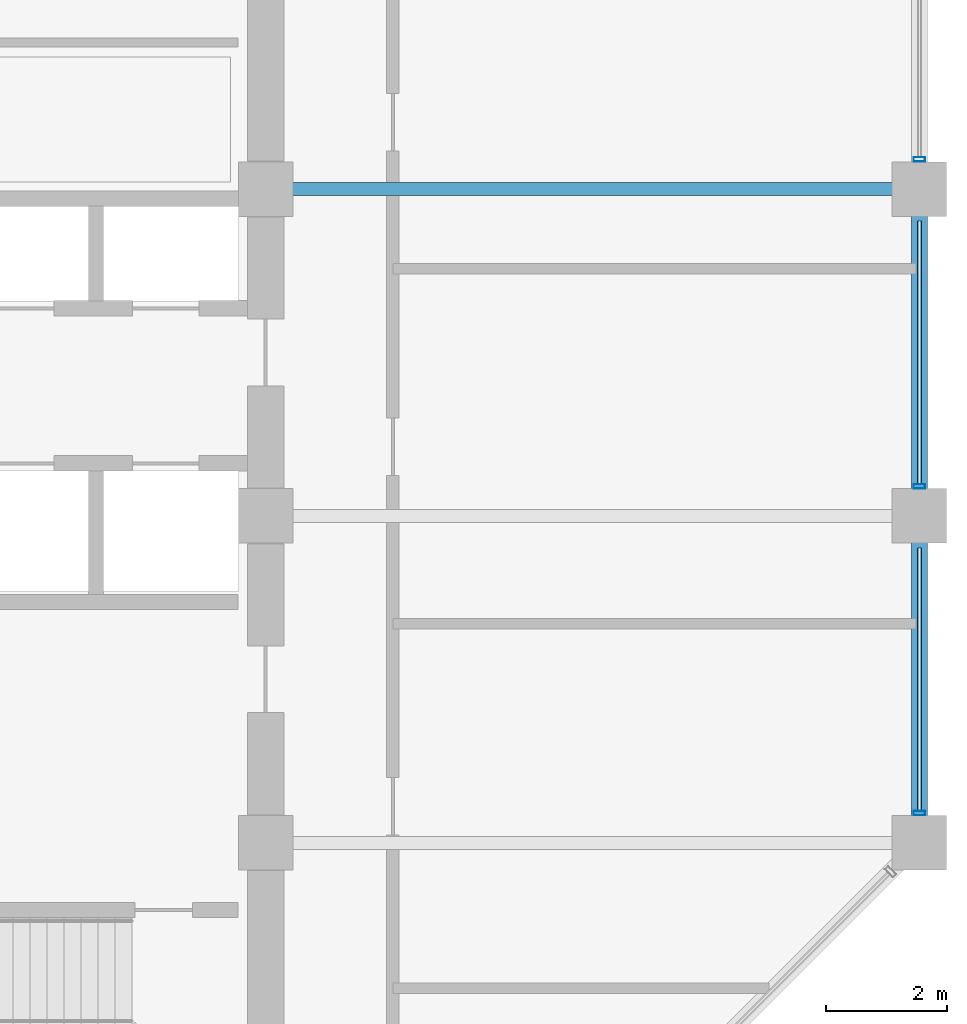
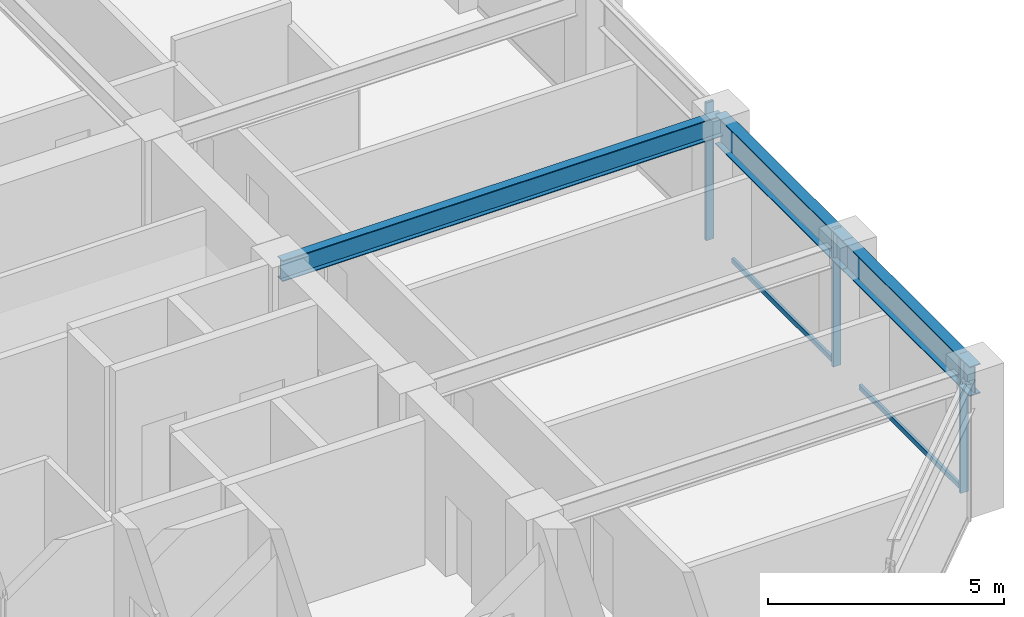
# One storey, part 14 of 32: 5 members, 3 beams, 1 element without a shape of its own.
"""IFC4 building model written with IfcOpenShell, lengths in metres."""

from ifc_helpers import new_model, si_unit, direction, frame, origin, origin_2d, place, context, subcontext, project, spatial, hollow_rectangle, i_section, extrude, material, layer, layer_set, material_profile, profile_set, type_object, element, aggregate, save


model = new_model("IFC4")

# Units and contexts
model_context = context("Model", 3, precision=1e-05, world=origin(), true_north=direction((0.0, 1.0)))
body_context = subcontext(model_context, "Body", "Model", "MODEL_VIEW")
ifc_project = project(units=[si_unit("LENGTHUNIT", "METRE"), si_unit("AREAUNIT", "SQUARE_METRE"), si_unit("VOLUMEUNIT", "CUBIC_METRE"), si_unit("PLANEANGLEUNIT", "RADIAN"), si_unit("MASSUNIT", "GRAM", prefix="KILO")], contexts=[model_context])

# Site, building, storey
site_placement = place(None, origin())
site = spatial("IfcSite", under=ifc_project, at=site_placement, CompositionType="ELEMENT")
building_placement = place(site_placement, origin())
building = spatial("IfcBuilding", under=site, at=building_placement, Name="Surkhivell Harbour Commons", CompositionType="ELEMENT")
storey_placement = place(building_placement, frame((0.0, 0.0, 201.0)))
storey = spatial("IfcBuildingStorey", under=building, at=storey_placement, Name="L52", CompositionType="ELEMENT", Elevation=201.0)

# Beams
ifc_material_1 = material(Name="Steel S355", Category="steel")
ifc_material_profile_1 = material_profile(ifc_material_1, i_section(OverallWidth=0.2119140625, OverallDepth=0.5439453125, WebThickness=0.0126953125, FlangeThickness=0.021240234375, at=origin_2d()), Name="UB533x210x122")
ifc_profile_set_1 = profile_set([ifc_material_profile_1], Name="Steel S355")
beam_type_1 = type_object("IfcBeamType", Name="BM-GRD-533A", PredefinedType="BEAM", material=ifc_profile_set_1)
beam_placement = place(storey_placement, frame((10.800048828125, 5.39990234375, 3.298095703125), z_axis=(1.0, 0.0, 0.0), x_axis=(0.0, 1.0, 0.0)))
element("IfcBeam", 1, at=beam_placement, inside=storey, type_object=beam_type_1, Name="L52 Floor Girder (10.8,5.4)", PredefinedType="BEAM", context=body_context, shape_type="SweptSolid", body=[
    extrude(i_section(OverallWidth=0.2119140625, OverallDepth=0.5439453125, WebThickness=0.0126953125, FlangeThickness=0.021240234375, at=origin_2d()), origin(), (0.0, 0.0, 1.0), 10.800048828125),
])
ifc_material_profile_2 = material_profile(ifc_material_1, i_section(OverallWidth=0.26806640625, OverallDepth=0.77001953125, WebThickness=0.015625, FlangeThickness=0.025390625, at=origin_2d()), Name="UB762x267x197")
ifc_profile_set_2 = profile_set([ifc_material_profile_2], Name="Steel S355")
beam_type_2 = type_object("IfcBeamType", Name="BM-SPN-762", PredefinedType="SPANDREL", material=ifc_profile_set_2)
for number, where, z_axis, x_axis, name in (
    (2, (21.60009765625, -5.39990234375, 3.18505859375), (0.0, 1.0, 0.0), (-1.0, 0.0, 0.0), "L52 Tube Spandrel (21.6,-5.4)"),
    (3, (21.60009765625, 0.0, 3.18505859375), (0.0, 1.0, 0.0), (-1.0, 0.0, 0.0), "L52 Tube Spandrel (21.6,0.0)"),
):
    element("IfcBeam", number, at=place(storey_placement, frame(where, z_axis=z_axis, x_axis=x_axis)), inside=storey, type_object=beam_type_2, Name=name, PredefinedType="SPANDREL", context=body_context, shape_type="SweptSolid", body=[
        extrude(i_section(OverallWidth=0.26806640625, OverallDepth=0.77001953125, WebThickness=0.015625, FlangeThickness=0.025390625, at=origin_2d()), origin(), (0.0, 0.0, 1.0), 5.39990234375),
    ])

# Curtain wall, members
ifc_material_2 = material(Name="Anodised pale-metal aluminium and insulated glazing", Category="aluminium")
ifc_layer = layer(ifc_material_2, 0.18994140625)
ifc_layer_set = layer_set([ifc_layer], Name="Anodised pale-metal aluminium and insulated glazing")
curtain_wall_type = type_object("IfcCurtainWallType", Name="CW-SYS-Z3", PredefinedType="NOTDEFINED", material=ifc_layer_set)
curtain_wall_placement = place(storey_placement, origin())
curtain_wall = element("IfcCurtainWall", 4, at=curtain_wall_placement, inside=storey, type_object=curtain_wall_type, Name="L52 Curtain Wall CW-L52-E02", PredefinedType="NOTDEFINED")
ifc_material_3 = material(Name="Anodised pale-metal aluminium alloy 6063-T6", Category="aluminium")
ifc_material_profile_3 = material_profile(ifc_material_3, hollow_rectangle(XDim=0.074951171875, YDim=0.18994140625, WallThickness=0.00390625, at=origin_2d()), Name="ALU-MULL-75x190")
ifc_profile_set_3 = profile_set([ifc_material_profile_3], Name="Anodised pale-metal aluminium alloy 6063-T6")
member_type_1 = type_object("IfcMemberType", Name="CWM-190", PredefinedType="MULLION", material=ifc_profile_set_3)
member_1_placement = place(storey_placement, frame((21.60009765625, -4.910400390625, 0.0), z_axis=(0.0, 0.0, 1.0), x_axis=(0.0, 1.0, 0.0)))
member_1 = element("IfcMember", 5, at=member_1_placement, type_object=member_type_1, Name="CW-Z3 mullion 1", PredefinedType="MULLION", context=body_context, shape_type="SweptSolid", body=[
    extrude(hollow_rectangle(XDim=0.074951171875, YDim=0.18994140625, WallThickness=0.00390625, at=origin_2d()), origin(), (0.0, 0.0, 1.0), 3.570068359375),
])
member_2_placement = place(storey_placement, frame((21.60009765625, 0.489501953125, 0.0), z_axis=(0.0, 0.0, 1.0), x_axis=(0.0, 1.0, 0.0)))
member_2 = element("IfcMember", 6, at=member_2_placement, type_object=member_type_1, Name="CW-Z3 mullion 2", PredefinedType="MULLION", context=body_context, shape_type="SweptSolid", body=[
    extrude(hollow_rectangle(XDim=0.074951171875, YDim=0.18994140625, WallThickness=0.00390625, at=origin_2d()), origin(), (0.0, 0.0, 1.0), 3.570068359375),
])
member_3_placement = place(storey_placement, frame((21.60009765625, 5.889404296875, 0.0), z_axis=(0.0, 0.0, 1.0), x_axis=(0.0, 1.0, 0.0)))
member_3 = element("IfcMember", 7, at=member_3_placement, type_object=member_type_1, Name="CW-Z3 mullion 3", PredefinedType="MULLION", context=body_context, shape_type="SweptSolid", body=[
    extrude(hollow_rectangle(XDim=0.074951171875, YDim=0.18994140625, WallThickness=0.00390625, at=origin_2d()), origin(), (0.0, 0.0, 1.0), 3.570068359375),
])
ifc_material_4 = material(Name="Champagne anodised aluminium alloy 6063-T6", Category="aluminium")
ifc_material_profile_4 = material_profile(ifc_material_4, hollow_rectangle(XDim=0.070068359375, YDim=0.1298828125, WallThickness=0.00341796875, at=origin_2d()), Name="ALU-TRAN-70x130")
ifc_profile_set_4 = profile_set([ifc_material_profile_4], Name="Champagne anodised aluminium alloy 6063-T6")
member_type_2 = type_object("IfcMemberType", Name="CWT-130", PredefinedType="USERDEFINED", material=ifc_profile_set_4)
member_4_placement = place(storey_placement, frame((21.60009765625, -4.873046875, 0.06494140625), z_axis=(0.0, 1.0, 0.0), x_axis=(-1.0, 0.0, 0.0)))
member_4 = element("IfcMember", 8, at=member_4_placement, type_object=member_type_2, Name="CW-Z3 transom 1.1", ObjectType="TRANSOM", PredefinedType="USERDEFINED", context=body_context, shape_type="SweptSolid", body=[
    extrude(hollow_rectangle(XDim=0.070068359375, YDim=0.1298828125, WallThickness=0.00341796875, at=origin_2d()), origin(), (0.0, 0.0, 1.0), 4.345947265625),
])
member_5_placement = place(storey_placement, frame((21.60009765625, 0.527099609375, 0.06494140625), z_axis=(0.0, 1.0, 0.0), x_axis=(-1.0, 0.0, 0.0)))
member_5 = element("IfcMember", 9, at=member_5_placement, type_object=member_type_2, Name="CW-Z3 transom 2.1", ObjectType="TRANSOM", PredefinedType="USERDEFINED", context=body_context, shape_type="SweptSolid", body=[
    extrude(hollow_rectangle(XDim=0.070068359375, YDim=0.1298828125, WallThickness=0.00341796875, at=origin_2d()), origin(), (0.0, 0.0, 1.0), 4.345947265625),
])
aggregate(curtain_wall, [member_1, member_4, member_2, member_5, member_3])

save(model, "model.ifc")
